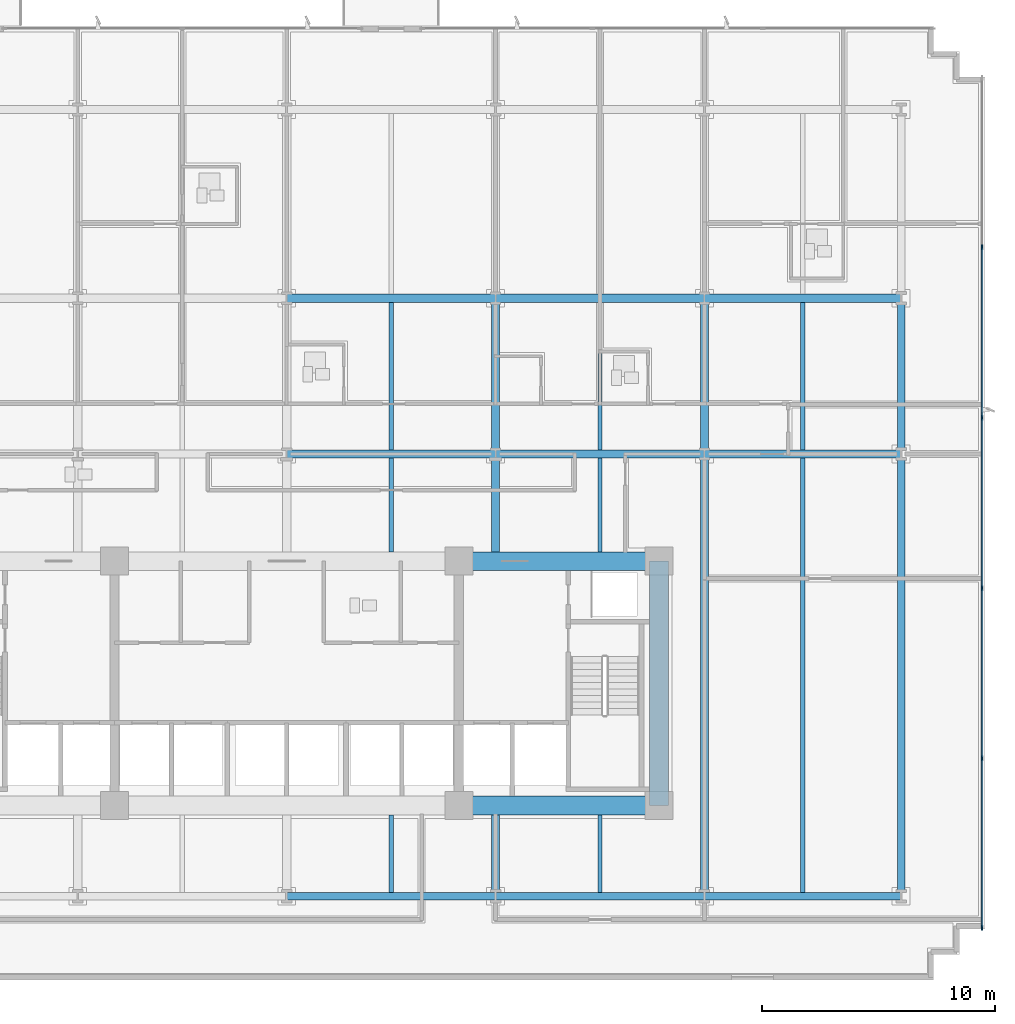
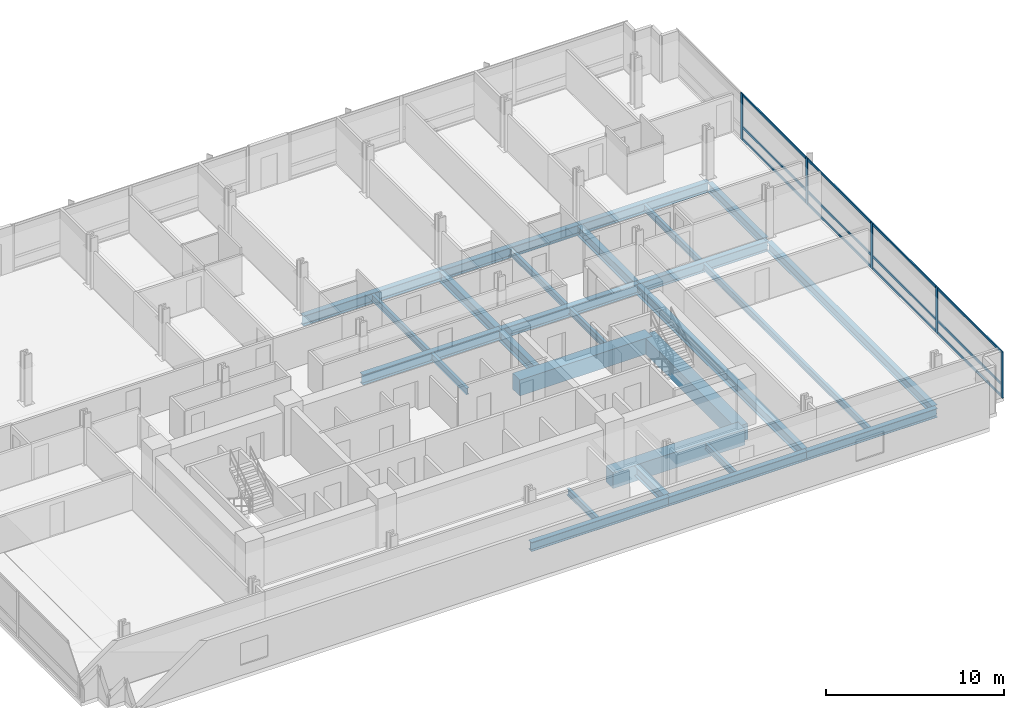
# One storey, part 4 of 18: 27 beams, 17 members, 1 element without a shape of its own.
"""IFC4 building model written with IfcOpenShell, lengths in metres."""

from ifc_helpers import new_model, si_unit, direction, frame, origin, origin_2d, place, context, subcontext, project, spatial, rectangle, i_section, extrude, material, material_profile, profile_set, type_object, element, aggregate, save


model = new_model("IFC4")

# Units and contexts
model_context = context("Model", 3, precision=1e-05, world=origin(), true_north=direction((0.0, 1.0)))
body_context = subcontext(model_context, "Body", "Model", "MODEL_VIEW")
ifc_project = project(units=[si_unit("LENGTHUNIT", "METRE"), si_unit("AREAUNIT", "SQUARE_METRE"), si_unit("VOLUMEUNIT", "CUBIC_METRE"), si_unit("PLANEANGLEUNIT", "RADIAN"), si_unit("MASSUNIT", "GRAM", prefix="KILO")], contexts=[model_context])

# Site, building, storey
site_placement = place(None, origin())
site = spatial("IfcSite", under=ifc_project, at=site_placement, CompositionType="ELEMENT")
building_placement = place(site_placement, origin())
building = spatial("IfcBuilding", under=site, at=building_placement, Name="Solmavex Isthmus Hotel", CompositionType="ELEMENT")
storey_placement = place(building_placement, frame((0.0, 0.0, 43.64990234375)))
storey = spatial("IfcBuildingStorey", under=building, at=storey_placement, Name="L11", CompositionType="ELEMENT", Elevation=43.64990234375)

# Beams
ifc_material_1 = material(Name="Steel ASTM A992 Grade 50", Category="steel")
ifc_material_profile_1 = material_profile(ifc_material_1, i_section(OverallWidth=0.354736328125, OverallDepth=0.695556640625, WebThickness=0.015380859375, FlangeThickness=0.02490234375, FilletRadius=0.017822265625, at=origin_2d()), Name="W27X146")
ifc_profile_set_1 = profile_set([ifc_material_profile_1], Name="Steel ASTM A992 Grade 50")
beam_type_1 = type_object("IfcBeamType", Name="BM-BG-W27X146", PredefinedType="BEAM", material=ifc_profile_set_1)
beam_1_placement = place(storey_placement, frame((0.0, 2.10009765625, -0.607666015625), z_axis=(1.0, 0.0, 0.0), x_axis=(0.0, 1.0, 0.0)))
element("IfcBeam", 1, at=beam_1_placement, inside=storey, type_object=beam_type_1, Name="Floor Girder L11-UG10", PredefinedType="BEAM", context=body_context, shape_type="SweptSolid", body=[
    extrude(i_section(OverallWidth=0.354736328125, OverallDepth=0.695556640625, WebThickness=0.015380859375, FlangeThickness=0.02490234375, FilletRadius=0.017822265625, at=origin_2d()), origin(), (0.0, 0.0, 1.0), 8.97607421875),
])
beam_2_placement = place(storey_placement, frame((8.97607421875, 2.10009765625, -0.607666015625), z_axis=(1.0, 0.0, 0.0), x_axis=(0.0, 1.0, 0.0)))
element("IfcBeam", 2, at=beam_2_placement, inside=storey, type_object=beam_type_1, Name="Floor Girder L11-UG11", PredefinedType="BEAM", context=body_context, shape_type="SweptSolid", body=[
    extrude(i_section(OverallWidth=0.354736328125, OverallDepth=0.695556640625, WebThickness=0.015380859375, FlangeThickness=0.02490234375, FilletRadius=0.017822265625, at=origin_2d()), origin(), (0.0, 0.0, 1.0), 8.975830078125),
])
beam_3_placement = place(storey_placement, frame((17.951904296875, 2.10009765625, -0.607666015625), z_axis=(1.0, 0.0, 0.0), x_axis=(0.0, 1.0, 0.0)))
element("IfcBeam", 3, at=beam_3_placement, inside=storey, type_object=beam_type_1, Name="Floor Girder L11-UG12", PredefinedType="BEAM", context=body_context, shape_type="SweptSolid", body=[
    extrude(i_section(OverallWidth=0.354736328125, OverallDepth=0.695556640625, WebThickness=0.015380859375, FlangeThickness=0.02490234375, FilletRadius=0.017822265625, at=origin_2d()), origin(), (0.0, 0.0, 1.0), 8.447998046875),
])
beam_4_placement = place(storey_placement, frame((0.0, 8.7880859375, -0.607666015625), z_axis=(1.0, 0.0, 0.0), x_axis=(0.0, 1.0, 0.0)))
element("IfcBeam", 4, at=beam_4_placement, inside=storey, type_object=beam_type_1, Name="Floor Girder L11-UG16", PredefinedType="BEAM", context=body_context, shape_type="SweptSolid", body=[
    extrude(i_section(OverallWidth=0.354736328125, OverallDepth=0.695556640625, WebThickness=0.015380859375, FlangeThickness=0.02490234375, FilletRadius=0.017822265625, at=origin_2d()), origin(), (0.0, 0.0, 1.0), 8.97607421875),
])
beam_5_placement = place(storey_placement, frame((8.97607421875, 8.7880859375, -0.607666015625), z_axis=(1.0, 0.0, 0.0), x_axis=(0.0, 1.0, 0.0)))
element("IfcBeam", 5, at=beam_5_placement, inside=storey, type_object=beam_type_1, Name="Floor Girder L11-UG17", PredefinedType="BEAM", context=body_context, shape_type="SweptSolid", body=[
    extrude(i_section(OverallWidth=0.354736328125, OverallDepth=0.695556640625, WebThickness=0.015380859375, FlangeThickness=0.02490234375, FilletRadius=0.017822265625, at=origin_2d()), origin(), (0.0, 0.0, 1.0), 8.975830078125),
])
beam_6_placement = place(storey_placement, frame((17.951904296875, 8.7880859375, -0.607666015625), z_axis=(1.0, 0.0, 0.0), x_axis=(0.0, 1.0, 0.0)))
element("IfcBeam", 6, at=beam_6_placement, inside=storey, type_object=beam_type_1, Name="Floor Girder L11-UG18", PredefinedType="BEAM", context=body_context, shape_type="SweptSolid", body=[
    extrude(i_section(OverallWidth=0.354736328125, OverallDepth=0.695556640625, WebThickness=0.015380859375, FlangeThickness=0.02490234375, FilletRadius=0.017822265625, at=origin_2d()), origin(), (0.0, 0.0, 1.0), 8.447998046875),
])
beam_7_placement = place(storey_placement, frame((8.97607421875, -16.73681640625, -0.607666015625), z_axis=(0.0, 1.0, 0.0), x_axis=(-1.0, 0.0, 0.0)))
element("IfcBeam", 7, at=beam_7_placement, inside=storey, type_object=beam_type_1, Name="Floor Beam L11-VG39", PredefinedType="BEAM", context=body_context, shape_type="SweptSolid", body=[
    extrude(i_section(OverallWidth=0.354736328125, OverallDepth=0.695556640625, WebThickness=0.015380859375, FlangeThickness=0.02490234375, FilletRadius=0.017822265625, at=origin_2d()), origin(), (0.0, 0.0, 1.0), 3.3369140625),
])
beam_8_placement = place(storey_placement, frame((8.97607421875, -2.10009765625, -0.607666015625), z_axis=(0.0, 1.0, 0.0), x_axis=(-1.0, 0.0, 0.0)))
element("IfcBeam", 8, at=beam_8_placement, inside=storey, type_object=beam_type_1, Name="Floor Beam L11-VG40", PredefinedType="BEAM", context=body_context, shape_type="SweptSolid", body=[
    extrude(i_section(OverallWidth=0.354736328125, OverallDepth=0.695556640625, WebThickness=0.015380859375, FlangeThickness=0.02490234375, FilletRadius=0.017822265625, at=origin_2d()), origin(), (0.0, 0.0, 1.0), 4.022705078125),
])
beam_9_placement = place(storey_placement, frame((8.97607421875, 2.27734375, -0.607666015625), z_axis=(0.0, 1.0, 0.0), x_axis=(-1.0, 0.0, 0.0)))
element("IfcBeam", 9, at=beam_9_placement, inside=storey, type_object=beam_type_1, Name="Floor Beam L11-VG41", PredefinedType="BEAM", context=body_context, shape_type="SweptSolid", body=[
    extrude(i_section(OverallWidth=0.354736328125, OverallDepth=0.695556640625, WebThickness=0.015380859375, FlangeThickness=0.02490234375, FilletRadius=0.017822265625, at=origin_2d()), origin(), (0.0, 0.0, 1.0), 6.333251953125),
])
beam_10_placement = place(storey_placement, frame((17.951904296875, -16.73681640625, -0.607666015625), z_axis=(0.0, 1.0, 0.0), x_axis=(-1.0, 0.0, 0.0)))
element("IfcBeam", 10, at=beam_10_placement, inside=storey, type_object=beam_type_1, Name="Floor Beam L11-VG43", PredefinedType="BEAM", context=body_context, shape_type="SweptSolid", body=[
    extrude(i_section(OverallWidth=0.354736328125, OverallDepth=0.695556640625, WebThickness=0.015380859375, FlangeThickness=0.02490234375, FilletRadius=0.017822265625, at=origin_2d()), origin(), (0.0, 0.0, 1.0), 18.659423828125),
])
beam_11_placement = place(storey_placement, frame((17.951904296875, 2.27734375, -0.607666015625), z_axis=(0.0, 1.0, 0.0), x_axis=(-1.0, 0.0, 0.0)))
element("IfcBeam", 11, at=beam_11_placement, inside=storey, type_object=beam_type_1, Name="Floor Beam L11-VG44", PredefinedType="BEAM", context=body_context, shape_type="SweptSolid", body=[
    extrude(i_section(OverallWidth=0.354736328125, OverallDepth=0.695556640625, WebThickness=0.015380859375, FlangeThickness=0.02490234375, FilletRadius=0.017822265625, at=origin_2d()), origin(), (0.0, 0.0, 1.0), 6.333251953125),
])
ifc_material_profile_2 = material_profile(ifc_material_1, i_section(OverallWidth=0.1904296875, OverallDepth=0.456787109375, WebThickness=0.009033203125, FlangeThickness=0.014404296875, FilletRadius=0.0126953125, at=origin_2d()), Name="W18X50")
ifc_profile_set_2 = profile_set([ifc_material_profile_2], Name="Steel ASTM A992 Grade 50")
beam_type_2 = type_object("IfcBeamType", Name="BM-BJ-W18X50", PredefinedType="JOIST", material=ifc_profile_set_2)
beam_12_placement = place(storey_placement, frame((4.488037109375, -16.73681640625, -0.48828125), z_axis=(0.0, 1.0, 0.0), x_axis=(-1.0, 0.0, 0.0)))
element("IfcBeam", 12, at=beam_12_placement, inside=storey, type_object=beam_type_2, Name="Secondary Floor Joist L11-J12", PredefinedType="JOIST", context=body_context, shape_type="SweptSolid", body=[
    extrude(i_section(OverallWidth=0.1904296875, OverallDepth=0.456787109375, WebThickness=0.009033203125, FlangeThickness=0.014404296875, FilletRadius=0.0126953125, at=origin_2d()), origin(), (0.0, 0.0, 1.0), 3.3369140625),
])
beam_13_placement = place(storey_placement, frame((4.488037109375, -2.10009765625, -0.48828125), z_axis=(0.0, 1.0, 0.0), x_axis=(-1.0, 0.0, 0.0)))
element("IfcBeam", 13, at=beam_13_placement, inside=storey, type_object=beam_type_2, Name="Secondary Floor Joist L11-J13", PredefinedType="JOIST", context=body_context, shape_type="SweptSolid", body=[
    extrude(i_section(OverallWidth=0.1904296875, OverallDepth=0.456787109375, WebThickness=0.009033203125, FlangeThickness=0.014404296875, FilletRadius=0.0126953125, at=origin_2d()), origin(), (0.0, 0.0, 1.0), 4.022705078125),
])
beam_14_placement = place(storey_placement, frame((4.488037109375, 2.27734375, -0.48828125), z_axis=(0.0, 1.0, 0.0), x_axis=(-1.0, 0.0, 0.0)))
element("IfcBeam", 14, at=beam_14_placement, inside=storey, type_object=beam_type_2, Name="Secondary Floor Joist L11-J14", PredefinedType="JOIST", context=body_context, shape_type="SweptSolid", body=[
    extrude(i_section(OverallWidth=0.1904296875, OverallDepth=0.456787109375, WebThickness=0.009033203125, FlangeThickness=0.014404296875, FilletRadius=0.0126953125, at=origin_2d()), origin(), (0.0, 0.0, 1.0), 6.333251953125),
])
beam_15_placement = place(storey_placement, frame((13.464111328125, -16.73681640625, -0.48828125), z_axis=(0.0, 1.0, 0.0), x_axis=(-1.0, 0.0, 0.0)))
element("IfcBeam", 15, at=beam_15_placement, inside=storey, type_object=beam_type_2, Name="Secondary Floor Joist L11-J16", PredefinedType="JOIST", context=body_context, shape_type="SweptSolid", body=[
    extrude(i_section(OverallWidth=0.1904296875, OverallDepth=0.456787109375, WebThickness=0.009033203125, FlangeThickness=0.014404296875, FilletRadius=0.0126953125, at=origin_2d()), origin(), (0.0, 0.0, 1.0), 3.3369140625),
])
beam_16_placement = place(storey_placement, frame((13.464111328125, -2.10009765625, -0.48828125), z_axis=(0.0, 1.0, 0.0), x_axis=(-1.0, 0.0, 0.0)))
element("IfcBeam", 16, at=beam_16_placement, inside=storey, type_object=beam_type_2, Name="Secondary Floor Joist L11-J17", PredefinedType="JOIST", context=body_context, shape_type="SweptSolid", body=[
    extrude(i_section(OverallWidth=0.1904296875, OverallDepth=0.456787109375, WebThickness=0.009033203125, FlangeThickness=0.014404296875, FilletRadius=0.0126953125, at=origin_2d()), origin(), (0.0, 0.0, 1.0), 4.022705078125),
])
beam_17_placement = place(storey_placement, frame((13.464111328125, 2.27734375, -0.48828125), z_axis=(0.0, 1.0, 0.0), x_axis=(-1.0, 0.0, 0.0)))
element("IfcBeam", 17, at=beam_17_placement, inside=storey, type_object=beam_type_2, Name="Secondary Floor Joist L11-J18", PredefinedType="JOIST", context=body_context, shape_type="SweptSolid", body=[
    extrude(i_section(OverallWidth=0.1904296875, OverallDepth=0.456787109375, WebThickness=0.009033203125, FlangeThickness=0.014404296875, FilletRadius=0.0126953125, at=origin_2d()), origin(), (0.0, 0.0, 1.0), 6.333251953125),
])
beam_18_placement = place(storey_placement, frame((22.176025390625, -16.73681640625, -0.48828125), z_axis=(0.0, 1.0, 0.0), x_axis=(-1.0, 0.0, 0.0)))
element("IfcBeam", 18, at=beam_18_placement, inside=storey, type_object=beam_type_2, Name="Secondary Floor Joist L11-J20", PredefinedType="JOIST", context=body_context, shape_type="SweptSolid", body=[
    extrude(i_section(OverallWidth=0.1904296875, OverallDepth=0.456787109375, WebThickness=0.009033203125, FlangeThickness=0.014404296875, FilletRadius=0.0126953125, at=origin_2d()), origin(), (0.0, 0.0, 1.0), 18.659423828125),
])
beam_19_placement = place(storey_placement, frame((22.176025390625, 2.27734375, -0.48828125), z_axis=(0.0, 1.0, 0.0), x_axis=(-1.0, 0.0, 0.0)))
element("IfcBeam", 19, at=beam_19_placement, inside=storey, type_object=beam_type_2, Name="Secondary Floor Joist L11-J21", PredefinedType="JOIST", context=body_context, shape_type="SweptSolid", body=[
    extrude(i_section(OverallWidth=0.1904296875, OverallDepth=0.456787109375, WebThickness=0.009033203125, FlangeThickness=0.014404296875, FilletRadius=0.0126953125, at=origin_2d()), origin(), (0.0, 0.0, 1.0), 6.333251953125),
])
ifc_material_2 = material(Name="Concrete C70/85", Category="concrete")
ifc_material_profile_3 = material_profile(ifc_material_2, rectangle(XDim=0.800048828125, YDim=1.10009765625, at=origin_2d()), Name="RC800X1100")
ifc_profile_set_3 = profile_set([ifc_material_profile_3], Name="Concrete C70/85")
beam_type_3 = type_object("IfcBeamType", Name="BM-CB-800X1100", PredefinedType="BEAM", material=ifc_profile_set_3)
for number, where, z_axis, x_axis, name in (
    (20, (7.39990234375, -13.0, -0.809814453125), (1.0, 0.0, 0.0), (0.0, 1.0, 0.0), "Core Coupling Beam L11-CB3"),
    (21, (7.39990234375, -2.5, -0.809814453125), (1.0, 0.0, 0.0), (0.0, 1.0, 0.0), "Core Coupling Beam L11-CB6"),
):
    element("IfcBeam", number, at=place(storey_placement, frame(where, z_axis=z_axis, x_axis=x_axis)), inside=storey, type_object=beam_type_3, Name=name, PredefinedType="BEAM", context=body_context, shape_type="SweptSolid", body=[
        extrude(rectangle(XDim=0.800048828125, YDim=1.10009765625, at=origin_2d()), origin(), (0.0, 0.0, 1.0), 8.60009765625),
    ])
beam_20_placement = place(storey_placement, frame((16.0, -13.0, -0.809814453125), z_axis=(0.0, 1.0, 0.0), x_axis=(-1.0, 0.0, 0.0)))
element("IfcBeam", 22, at=beam_20_placement, inside=storey, type_object=beam_type_3, Name="Core Coupling Beam L11-CB8", PredefinedType="BEAM", context=body_context, shape_type="SweptSolid", body=[
    extrude(rectangle(XDim=0.800048828125, YDim=1.10009765625, at=origin_2d()), origin(), (0.0, 0.0, 1.0), 10.5),
])
ifc_material_profile_4 = material_profile(ifc_material_1, i_section(OverallWidth=0.326416015625, OverallDepth=0.621826171875, WebThickness=0.015380859375, FlangeThickness=0.0244140625, FilletRadius=0.01513671875, at=origin_2d()), Name="W24X131")
ifc_profile_set_4 = profile_set([ifc_material_profile_4], Name="Steel ASTM A992 Grade 50")
beam_type_4 = type_object("IfcBeamType", Name="BM-SP-W24X131", PredefinedType="SPANDREL", material=ifc_profile_set_4)
beam_21_placement = place(storey_placement, frame((0.0, -16.89990234375, -0.57080078125), z_axis=(1.0, 0.0, 0.0), x_axis=(0.0, 1.0, 0.0)))
element("IfcBeam", 23, at=beam_21_placement, inside=storey, type_object=beam_type_4, Name="Floor Girder L11-UG04", PredefinedType="SPANDREL", context=body_context, shape_type="SweptSolid", body=[
    extrude(i_section(OverallWidth=0.326416015625, OverallDepth=0.621826171875, WebThickness=0.015380859375, FlangeThickness=0.0244140625, FilletRadius=0.01513671875, at=origin_2d()), origin(), (0.0, 0.0, 1.0), 8.97607421875),
])
beam_22_placement = place(storey_placement, frame((8.97607421875, -16.89990234375, -0.57080078125), z_axis=(1.0, 0.0, 0.0), x_axis=(0.0, 1.0, 0.0)))
element("IfcBeam", 24, at=beam_22_placement, inside=storey, type_object=beam_type_4, Name="Floor Girder L11-UG05", PredefinedType="SPANDREL", context=body_context, shape_type="SweptSolid", body=[
    extrude(i_section(OverallWidth=0.326416015625, OverallDepth=0.621826171875, WebThickness=0.015380859375, FlangeThickness=0.0244140625, FilletRadius=0.01513671875, at=origin_2d()), origin(), (0.0, 0.0, 1.0), 8.975830078125),
])
beam_23_placement = place(storey_placement, frame((17.951904296875, -16.89990234375, -0.57080078125), z_axis=(1.0, 0.0, 0.0), x_axis=(0.0, 1.0, 0.0)))
element("IfcBeam", 25, at=beam_23_placement, inside=storey, type_object=beam_type_4, Name="Floor Girder L11-UG06", PredefinedType="SPANDREL", context=body_context, shape_type="SweptSolid", body=[
    extrude(i_section(OverallWidth=0.326416015625, OverallDepth=0.621826171875, WebThickness=0.015380859375, FlangeThickness=0.0244140625, FilletRadius=0.01513671875, at=origin_2d()), origin(), (0.0, 0.0, 1.0), 8.447998046875),
])
beam_24_placement = place(storey_placement, frame((26.39990234375, -16.73681640625, -0.57080078125), z_axis=(0.0, 1.0, 0.0), x_axis=(-1.0, 0.0, 0.0)))
element("IfcBeam", 26, at=beam_24_placement, inside=storey, type_object=beam_type_4, Name="Floor Beam L11-VG46", PredefinedType="SPANDREL", context=body_context, shape_type="SweptSolid", body=[
    extrude(i_section(OverallWidth=0.326416015625, OverallDepth=0.621826171875, WebThickness=0.015380859375, FlangeThickness=0.0244140625, FilletRadius=0.01513671875, at=origin_2d()), origin(), (0.0, 0.0, 1.0), 18.659423828125),
])
beam_25_placement = place(storey_placement, frame((26.39990234375, 2.27734375, -0.57080078125), z_axis=(0.0, 1.0, 0.0), x_axis=(-1.0, 0.0, 0.0)))
element("IfcBeam", 27, at=beam_25_placement, inside=storey, type_object=beam_type_4, Name="Floor Beam L11-VG47", PredefinedType="SPANDREL", context=body_context, shape_type="SweptSolid", body=[
    extrude(i_section(OverallWidth=0.326416015625, OverallDepth=0.621826171875, WebThickness=0.015380859375, FlangeThickness=0.0244140625, FilletRadius=0.01513671875, at=origin_2d()), origin(), (0.0, 0.0, 1.0), 6.333251953125),
])

# Curtain wall, members
ifc_material_3 = material(Name="Aluminium alloy 6063-T6", Category="aluminium")
curtain_wall_type = type_object("IfcCurtainWallType", Name="CW-SYS-02", PredefinedType="NOTDEFINED", material=ifc_material_3)
curtain_wall_placement = place(storey_placement, origin())
curtain_wall = element("IfcCurtainWall", 28, at=curtain_wall_placement, inside=storey, type_object=curtain_wall_type, Name="Stick Curtain Wall CWL-L11-E1", PredefinedType="NOTDEFINED")
ifc_material_profile_5 = material_profile(ifc_material_3, rectangle(XDim=0.074951171875, YDim=0.219970703125, at=origin_2d()), Name="CWM-75X220")
ifc_profile_set_5 = profile_set([ifc_material_profile_5], Name="Aluminium alloy 6063-T6")
member_type_1 = type_object("IfcMemberType", Name="CW-SYS-02-MUL", PredefinedType="MULLION", material=ifc_profile_set_5)
member_1_placement = place(storey_placement, frame((29.8798828125, -18.262451171875, 0.0), z_axis=(0.0, 0.0, 1.0), x_axis=(-1.0, 0.0, 0.0)))
member_1 = element("IfcMember", 29, at=member_1_placement, type_object=member_type_1, Name="CW-02 mullion 1", PredefinedType="MULLION", context=body_context, shape_type="SweptSolid", body=[
    extrude(rectangle(XDim=0.074951171875, YDim=0.219970703125, at=origin_2d()), origin(), (0.0, 0.0, 1.0), 3.190185546875),
])
member_2_placement = place(storey_placement, frame((29.8798828125, -10.97998046875, 0.0), z_axis=(0.0, 0.0, 1.0), x_axis=(-1.0, 0.0, 0.0)))
member_2 = element("IfcMember", 30, at=member_2_placement, type_object=member_type_1, Name="CW-02 mullion 2", PredefinedType="MULLION", context=body_context, shape_type="SweptSolid", body=[
    extrude(rectangle(XDim=0.074951171875, YDim=0.219970703125, at=origin_2d()), origin(), (0.0, 0.0, 1.0), 3.190185546875),
])
member_3_placement = place(storey_placement, frame((29.8798828125, -3.659912109375, 0.0), z_axis=(0.0, 0.0, 1.0), x_axis=(-1.0, 0.0, 0.0)))
member_3 = element("IfcMember", 31, at=member_3_placement, type_object=member_type_1, Name="CW-02 mullion 3", PredefinedType="MULLION", context=body_context, shape_type="SweptSolid", body=[
    extrude(rectangle(XDim=0.074951171875, YDim=0.219970703125, at=origin_2d()), origin(), (0.0, 0.0, 1.0), 3.190185546875),
])
member_4_placement = place(storey_placement, frame((29.8798828125, 3.659912109375, 0.0), z_axis=(0.0, 0.0, 1.0), x_axis=(-1.0, 0.0, 0.0)))
member_4 = element("IfcMember", 32, at=member_4_placement, type_object=member_type_1, Name="CW-02 mullion 4", PredefinedType="MULLION", context=body_context, shape_type="SweptSolid", body=[
    extrude(rectangle(XDim=0.074951171875, YDim=0.219970703125, at=origin_2d()), origin(), (0.0, 0.0, 1.0), 3.190185546875),
])
member_5_placement = place(storey_placement, frame((29.8798828125, 10.97998046875, 0.0), z_axis=(0.0, 0.0, 1.0), x_axis=(-1.0, 0.0, 0.0)))
member_5 = element("IfcMember", 33, at=member_5_placement, type_object=member_type_1, Name="CW-02 mullion 5", PredefinedType="MULLION", context=body_context, shape_type="SweptSolid", body=[
    extrude(rectangle(XDim=0.074951171875, YDim=0.219970703125, at=origin_2d()), origin(), (0.0, 0.0, 1.0), 3.190185546875),
])
ifc_material_profile_6 = material_profile(ifc_material_3, rectangle(XDim=0.074951171875, YDim=0.159912109375, at=origin_2d()), Name="CWT-75X160")
ifc_profile_set_6 = profile_set([ifc_material_profile_6], Name="Aluminium alloy 6063-T6")
member_type_2 = type_object("IfcMemberType", Name="CW-SYS-02-TRN", PredefinedType="USERDEFINED", material=ifc_profile_set_6)
member_6_placement = place(storey_placement, frame((29.8798828125, -18.22509765625, 0.080078125), z_axis=(0.0, 1.0, 0.0), x_axis=(-1.0, 0.0, 0.0)))
member_6 = element("IfcMember", 34, at=member_6_placement, type_object=member_type_2, Name="CW-02 transom 1.1", ObjectType="TRANSOM", PredefinedType="USERDEFINED", context=body_context, shape_type="SweptSolid", body=[
    extrude(rectangle(XDim=0.074951171875, YDim=0.159912109375, at=origin_2d()), origin(), (0.0, 0.0, 1.0), 7.20751953125),
])
member_7_placement = place(storey_placement, frame((29.8798828125, -18.22509765625, 0.900146484375), z_axis=(0.0, 1.0, 0.0), x_axis=(-1.0, 0.0, 0.0)))
member_7 = element("IfcMember", 35, at=member_7_placement, type_object=member_type_2, Name="CW-02 transom 1.2", ObjectType="TRANSOM", PredefinedType="USERDEFINED", context=body_context, shape_type="SweptSolid", body=[
    extrude(rectangle(XDim=0.074951171875, YDim=0.159912109375, at=origin_2d()), origin(), (0.0, 0.0, 1.0), 7.20751953125),
])
member_8_placement = place(storey_placement, frame((29.8798828125, -18.22509765625, 3.110107421875), z_axis=(0.0, 1.0, 0.0), x_axis=(-1.0, 0.0, 0.0)))
member_8 = element("IfcMember", 36, at=member_8_placement, type_object=member_type_2, Name="CW-02 transom 1.3", ObjectType="TRANSOM", PredefinedType="USERDEFINED", context=body_context, shape_type="SweptSolid", body=[
    extrude(rectangle(XDim=0.074951171875, YDim=0.159912109375, at=origin_2d()), origin(), (0.0, 0.0, 1.0), 7.20751953125),
])
member_9_placement = place(storey_placement, frame((29.8798828125, -10.9423828125, 0.080078125), z_axis=(0.0, 1.0, 0.0), x_axis=(-1.0, 0.0, 0.0)))
member_9 = element("IfcMember", 37, at=member_9_placement, type_object=member_type_2, Name="CW-02 transom 2.1", ObjectType="TRANSOM", PredefinedType="USERDEFINED", context=body_context, shape_type="SweptSolid", body=[
    extrude(rectangle(XDim=0.074951171875, YDim=0.159912109375, at=origin_2d()), origin(), (0.0, 0.0, 1.0), 7.244873046875),
])
member_10_placement = place(storey_placement, frame((29.8798828125, -10.9423828125, 0.900146484375), z_axis=(0.0, 1.0, 0.0), x_axis=(-1.0, 0.0, 0.0)))
member_10 = element("IfcMember", 38, at=member_10_placement, type_object=member_type_2, Name="CW-02 transom 2.2", ObjectType="TRANSOM", PredefinedType="USERDEFINED", context=body_context, shape_type="SweptSolid", body=[
    extrude(rectangle(XDim=0.074951171875, YDim=0.159912109375, at=origin_2d()), origin(), (0.0, 0.0, 1.0), 7.244873046875),
])
member_11_placement = place(storey_placement, frame((29.8798828125, -10.9423828125, 3.110107421875), z_axis=(0.0, 1.0, 0.0), x_axis=(-1.0, 0.0, 0.0)))
member_11 = element("IfcMember", 39, at=member_11_placement, type_object=member_type_2, Name="CW-02 transom 2.3", ObjectType="TRANSOM", PredefinedType="USERDEFINED", context=body_context, shape_type="SweptSolid", body=[
    extrude(rectangle(XDim=0.074951171875, YDim=0.159912109375, at=origin_2d()), origin(), (0.0, 0.0, 1.0), 7.244873046875),
])
member_12_placement = place(storey_placement, frame((29.8798828125, -3.62255859375, 0.080078125), z_axis=(0.0, 1.0, 0.0), x_axis=(-1.0, 0.0, 0.0)))
member_12 = element("IfcMember", 40, at=member_12_placement, type_object=member_type_2, Name="CW-02 transom 3.1", ObjectType="TRANSOM", PredefinedType="USERDEFINED", context=body_context, shape_type="SweptSolid", body=[
    extrude(rectangle(XDim=0.074951171875, YDim=0.159912109375, at=origin_2d()), origin(), (0.0, 0.0, 1.0), 7.2451171875),
])
member_13_placement = place(storey_placement, frame((29.8798828125, -3.62255859375, 0.900146484375), z_axis=(0.0, 1.0, 0.0), x_axis=(-1.0, 0.0, 0.0)))
member_13 = element("IfcMember", 41, at=member_13_placement, type_object=member_type_2, Name="CW-02 transom 3.2", ObjectType="TRANSOM", PredefinedType="USERDEFINED", context=body_context, shape_type="SweptSolid", body=[
    extrude(rectangle(XDim=0.074951171875, YDim=0.159912109375, at=origin_2d()), origin(), (0.0, 0.0, 1.0), 7.2451171875),
])
member_14_placement = place(storey_placement, frame((29.8798828125, -3.62255859375, 3.110107421875), z_axis=(0.0, 1.0, 0.0), x_axis=(-1.0, 0.0, 0.0)))
member_14 = element("IfcMember", 42, at=member_14_placement, type_object=member_type_2, Name="CW-02 transom 3.3", ObjectType="TRANSOM", PredefinedType="USERDEFINED", context=body_context, shape_type="SweptSolid", body=[
    extrude(rectangle(XDim=0.074951171875, YDim=0.159912109375, at=origin_2d()), origin(), (0.0, 0.0, 1.0), 7.2451171875),
])
member_15_placement = place(storey_placement, frame((29.8798828125, 3.697509765625, 0.080078125), z_axis=(0.0, 1.0, 0.0), x_axis=(-1.0, 0.0, 0.0)))
member_15 = element("IfcMember", 43, at=member_15_placement, type_object=member_type_2, Name="CW-02 transom 4.1", ObjectType="TRANSOM", PredefinedType="USERDEFINED", context=body_context, shape_type="SweptSolid", body=[
    extrude(rectangle(XDim=0.074951171875, YDim=0.159912109375, at=origin_2d()), origin(), (0.0, 0.0, 1.0), 7.244873046875),
])
member_16_placement = place(storey_placement, frame((29.8798828125, 3.697509765625, 0.900146484375), z_axis=(0.0, 1.0, 0.0), x_axis=(-1.0, 0.0, 0.0)))
member_16 = element("IfcMember", 44, at=member_16_placement, type_object=member_type_2, Name="CW-02 transom 4.2", ObjectType="TRANSOM", PredefinedType="USERDEFINED", context=body_context, shape_type="SweptSolid", body=[
    extrude(rectangle(XDim=0.074951171875, YDim=0.159912109375, at=origin_2d()), origin(), (0.0, 0.0, 1.0), 7.244873046875),
])
member_17_placement = place(storey_placement, frame((29.8798828125, 3.697509765625, 3.110107421875), z_axis=(0.0, 1.0, 0.0), x_axis=(-1.0, 0.0, 0.0)))
member_17 = element("IfcMember", 45, at=member_17_placement, type_object=member_type_2, Name="CW-02 transom 4.3", ObjectType="TRANSOM", PredefinedType="USERDEFINED", context=body_context, shape_type="SweptSolid", body=[
    extrude(rectangle(XDim=0.074951171875, YDim=0.159912109375, at=origin_2d()), origin(), (0.0, 0.0, 1.0), 7.244873046875),
])
aggregate(curtain_wall, [member_1, member_2, member_3, member_4, member_5, member_6, member_7, member_8, member_9, member_10, member_11, member_12, member_13, member_14, member_15, member_16, member_17])

save(model, "model.ifc")
